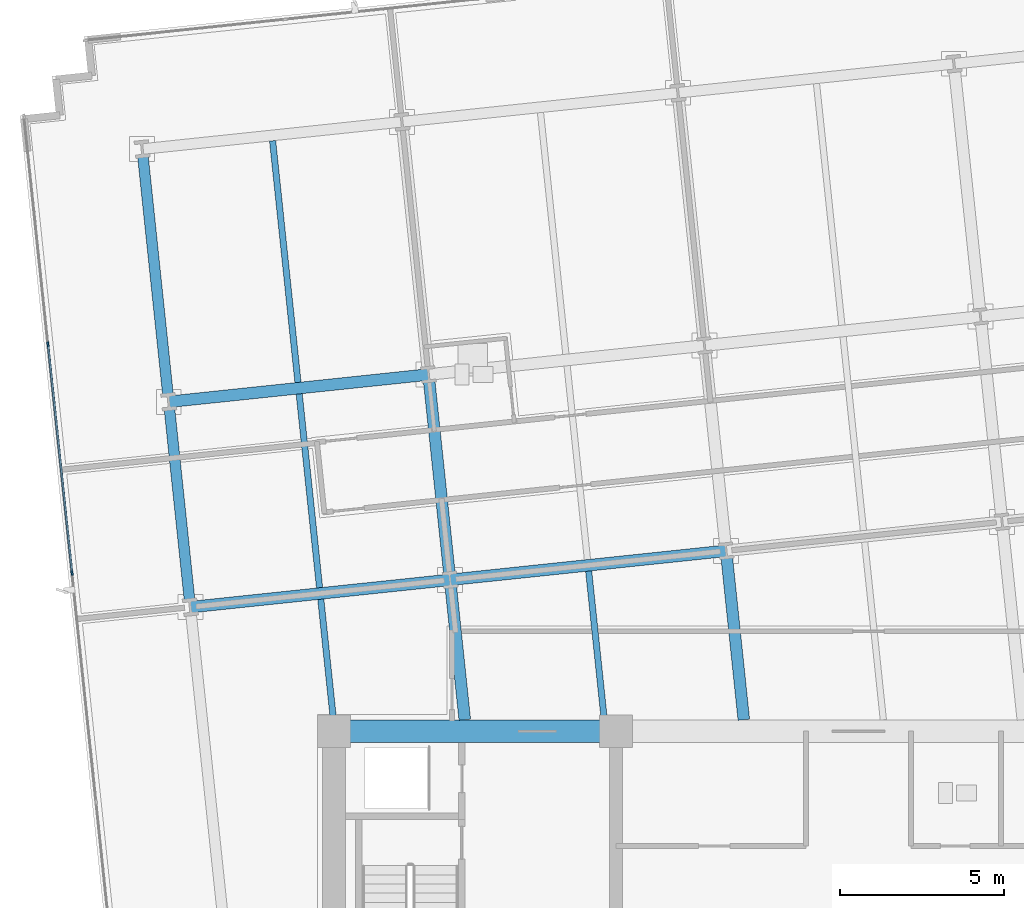
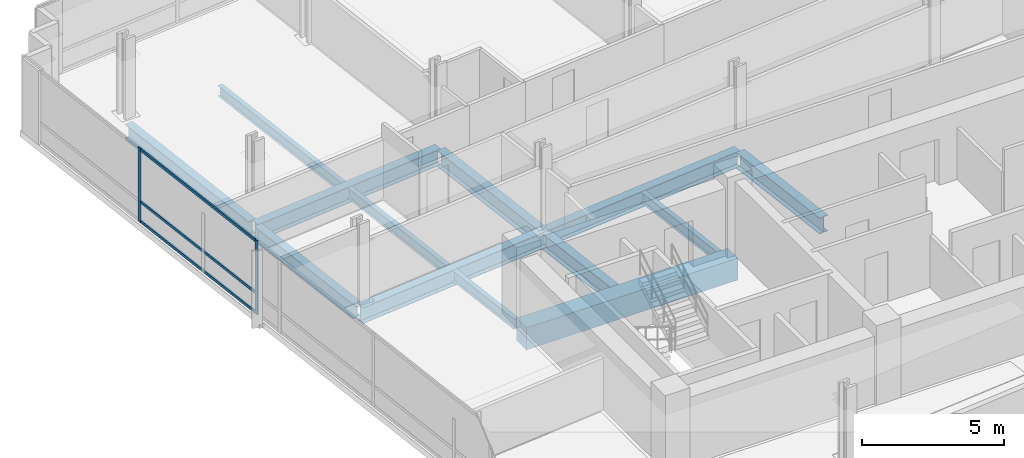
# One storey, part 4 of 21: 13 beams, 5 members, 1 element without a shape of its own.
"""IFC4 building model written with IfcOpenShell, lengths in metres."""

from ifc_helpers import new_model, si_unit, direction, frame, origin, origin_2d, place, context, subcontext, project, spatial, rectangle, i_section, extrude, material, material_profile, profile_set, type_object, element, aggregate, save


model = new_model("IFC4")

# Units and contexts
model_context = context("Model", 3, precision=1e-05, world=origin(), true_north=direction((0.0, 1.0)))
body_context = subcontext(model_context, "Body", "Model", "MODEL_VIEW")
ifc_project = project(units=[si_unit("LENGTHUNIT", "METRE"), si_unit("AREAUNIT", "SQUARE_METRE"), si_unit("VOLUMEUNIT", "CUBIC_METRE"), si_unit("PLANEANGLEUNIT", "RADIAN"), si_unit("MASSUNIT", "GRAM", prefix="KILO")], contexts=[model_context])

# Site, building, storey
site_placement = place(None, origin())
site = spatial("IfcSite", under=ifc_project, at=site_placement, CompositionType="ELEMENT")
building_placement = place(site_placement, origin())
building = spatial("IfcBuilding", under=site, at=building_placement, Name="Solmavex Isthmus Hotel", CompositionType="ELEMENT")
storey_placement = place(building_placement, frame((0.0, 0.0, 113.25)))
storey = spatial("IfcBuildingStorey", under=building, at=storey_placement, Name="L30", CompositionType="ELEMENT", Elevation=113.25)

# Beams
ifc_material_1 = material(Name="Steel ASTM A992 Grade 50", Category="steel")
ifc_material_profile_1 = material_profile(ifc_material_1, i_section(OverallWidth=0.354736328125, OverallDepth=0.695556640625, WebThickness=0.015380859375, FlangeThickness=0.02490234375, FilletRadius=0.017822265625, at=origin_2d()), Name="W27X146")
ifc_profile_set_1 = profile_set([ifc_material_profile_1], Name="Steel ASTM A992 Grade 50")
beam_type_1 = type_object("IfcBeamType", Name="BM-BG-W27X146", PredefinedType="BEAM", material=ifc_profile_set_1)
beam_1_placement = place(storey_placement, frame((-20.383056640625, 1.28564453125, -0.607666015625), z_axis=(0.994520217478, 0.10454442609, 0.0), x_axis=(-0.10454442609, 0.994520217478, 0.0)))
element("IfcBeam", 1, at=beam_1_placement, inside=storey, type_object=beam_type_1, Name="Floor Girder L30-UG07", PredefinedType="BEAM", context=body_context, shape_type="SweptSolid", body=[
    extrude(i_section(OverallWidth=0.354736328125, OverallDepth=0.695556640625, WebThickness=0.015380859375, FlangeThickness=0.02490234375, FilletRadius=0.017822265625, at=origin_2d()), origin(), (0.0, 0.0, 1.0), 7.968017578125),
])
beam_2_placement = place(storey_placement, frame((-12.458740234375, 2.11865234375, -0.607666015625), z_axis=(0.994521085209, 0.104536171134, 0.0), x_axis=(-0.104536171134, 0.994521085209, 0.0)))
element("IfcBeam", 2, at=beam_2_placement, inside=storey, type_object=beam_type_1, Name="Floor Girder L30-UG08", PredefinedType="BEAM", context=body_context, shape_type="SweptSolid", body=[
    extrude(i_section(OverallWidth=0.354736328125, OverallDepth=0.695556640625, WebThickness=0.015380859375, FlangeThickness=0.02490234375, FilletRadius=0.017822265625, at=origin_2d()), origin(), (0.0, 0.0, 1.0), 8.466064453125),
])
beam_3_placement = place(storey_placement, frame((-21.04150390625, 7.54931640625, -0.607666015625), z_axis=(0.994523402738, 0.104514120609, 0.0), x_axis=(-0.104514120609, 0.994523402738, 0.0)))
element("IfcBeam", 3, at=beam_3_placement, inside=storey, type_object=beam_type_1, Name="Floor Girder L30-UG13", PredefinedType="BEAM", context=body_context, shape_type="SweptSolid", body=[
    extrude(i_section(OverallWidth=0.354736328125, OverallDepth=0.695556640625, WebThickness=0.015380859375, FlangeThickness=0.02490234375, FilletRadius=0.017822265625, at=origin_2d()), origin(), (0.0, 0.0, 1.0), 7.968017578125),
])
beam_4_placement = place(storey_placement, frame((-12.010009765625, -2.14990234375, -0.607666015625), z_axis=(-0.104548881212, 0.994519749144, 0.0), x_axis=(-0.994519749144, -0.104548881212, 0.0)))
element("IfcBeam", 4, at=beam_4_placement, inside=storey, type_object=beam_type_1, Name="Floor Beam L30-VG29", PredefinedType="BEAM", context=body_context, shape_type="SweptSolid", body=[
    extrude(i_section(OverallWidth=0.354736328125, OverallDepth=0.695556640625, WebThickness=0.015380859375, FlangeThickness=0.02490234375, FilletRadius=0.017822265625, at=origin_2d()), origin(), (0.0, 0.0, 1.0), 4.114501953125),
])
beam_5_placement = place(storey_placement, frame((-12.477294921875, 2.295166015625, -0.607666015625), z_axis=(-0.104545790518, 0.994520074048, 0.0), x_axis=(-0.994520074048, -0.104545790518, 0.0)))
element("IfcBeam", 5, at=beam_5_placement, inside=storey, type_object=beam_type_1, Name="Floor Beam L30-VG30", PredefinedType="BEAM", context=body_context, shape_type="SweptSolid", body=[
    extrude(i_section(OverallWidth=0.354736328125, OverallDepth=0.695556640625, WebThickness=0.015380859375, FlangeThickness=0.02490234375, FilletRadius=0.017822265625, at=origin_2d()), origin(), (0.0, 0.0, 1.0), 5.943115234375),
])
beam_6_placement = place(storey_placement, frame((-3.49755859375, -2.14990234375, -0.607666015625), z_axis=(-0.104496861251, 0.994525216366, 0.0), x_axis=(-0.994525216366, -0.104496861251, 0.0)))
element("IfcBeam", 6, at=beam_6_placement, inside=storey, type_object=beam_type_1, Name="Floor Beam L30-VG33", PredefinedType="BEAM", context=body_context, shape_type="SweptSolid", body=[
    extrude(i_section(OverallWidth=0.354736328125, OverallDepth=0.695556640625, WebThickness=0.015380859375, FlangeThickness=0.02490234375, FilletRadius=0.017822265625, at=origin_2d()), origin(), (0.0, 0.0, 1.0), 5.00439453125),
])
ifc_material_profile_2 = material_profile(ifc_material_1, i_section(OverallWidth=0.1904296875, OverallDepth=0.456787109375, WebThickness=0.009033203125, FlangeThickness=0.014404296875, FilletRadius=0.0126953125, at=origin_2d()), Name="W18X50")
ifc_profile_set_2 = profile_set([ifc_material_profile_2], Name="Steel ASTM A992 Grade 50")
beam_type_2 = type_object("IfcBeamType", Name="BM-BJ-W18X50", PredefinedType="JOIST", material=ifc_profile_set_2)
beam_7_placement = place(storey_placement, frame((-16.01611328125, -2.14990234375, -0.488525390625), z_axis=(-0.104505969986, 0.99452425925, 0.0), x_axis=(-0.99452425925, -0.104505969986, 0.0)))
element("IfcBeam", 7, at=beam_7_placement, inside=storey, type_object=beam_type_2, Name="Secondary Floor Joist L30-J02", PredefinedType="JOIST", context=body_context, shape_type="SweptSolid", body=[
    extrude(i_section(OverallWidth=0.1904296875, OverallDepth=0.456787109375, WebThickness=0.009033203125, FlangeThickness=0.014404296875, FilletRadius=0.0126953125, at=origin_2d()), origin(), (0.0, 0.0, 1.0), 3.69580078125),
])
beam_8_placement = place(storey_placement, frame((-16.439453125, 1.878662109375, -0.488525390625), z_axis=(-0.104545790518, 0.994520074048, 0.0), x_axis=(-0.994520074048, -0.104545790518, 0.0)))
element("IfcBeam", 8, at=beam_8_placement, inside=storey, type_object=beam_type_2, Name="Secondary Floor Joist L30-J03", PredefinedType="JOIST", context=body_context, shape_type="SweptSolid", body=[
    extrude(i_section(OverallWidth=0.1904296875, OverallDepth=0.456787109375, WebThickness=0.009033203125, FlangeThickness=0.014404296875, FilletRadius=0.0126953125, at=origin_2d()), origin(), (0.0, 0.0, 1.0), 5.943115234375),
])
beam_9_placement = place(storey_placement, frame((-17.097900390625, 8.14208984375, -0.488525390625), z_axis=(-0.104525307271, 0.994522227072, 0.0), x_axis=(-0.994522227072, -0.104525307271, 0.0)))
element("IfcBeam", 9, at=beam_9_placement, inside=storey, type_object=beam_type_2, Name="Secondary Floor Joist L30-J04", PredefinedType="JOIST", context=body_context, shape_type="SweptSolid", body=[
    extrude(i_section(OverallWidth=0.1904296875, OverallDepth=0.456787109375, WebThickness=0.009033203125, FlangeThickness=0.014404296875, FilletRadius=0.0126953125, at=origin_2d()), origin(), (0.0, 0.0, 1.0), 7.4111328125),
])
beam_10_placement = place(storey_placement, frame((-7.75390625, -2.14990234375, -0.488525390625), z_axis=(-0.104517550263, 0.994523042311, 0.0), x_axis=(-0.994523042311, -0.104517550263, 0.0)))
element("IfcBeam", 10, at=beam_10_placement, inside=storey, type_object=beam_type_2, Name="Secondary Floor Joist L30-J06", PredefinedType="JOIST", context=body_context, shape_type="SweptSolid", body=[
    extrude(i_section(OverallWidth=0.1904296875, OverallDepth=0.456787109375, WebThickness=0.009033203125, FlangeThickness=0.014404296875, FilletRadius=0.0126953125, at=origin_2d()), origin(), (0.0, 0.0, 1.0), 4.5595703125),
])
ifc_material_2 = material(Name="Concrete C60/75", Category="concrete")
ifc_material_profile_3 = material_profile(ifc_material_2, rectangle(XDim=0.699951171875, YDim=0.949951171875, at=origin_2d()), Name="RC700X950")
ifc_profile_set_3 = profile_set([ifc_material_profile_3], Name="Concrete C60/75")
beam_type_3 = type_object("IfcBeamType", Name="BM-CB-700X950", PredefinedType="BEAM", material=ifc_profile_set_3)
beam_11_placement = place(storey_placement, frame((-16.0, -2.5, -0.735107421875), z_axis=(1.0, 0.0, 0.0), x_axis=(0.0, 1.0, 0.0)))
element("IfcBeam", 11, at=beam_11_placement, inside=storey, type_object=beam_type_3, Name="Core Coupling Beam L30-CB4", PredefinedType="BEAM", context=body_context, shape_type="SweptSolid", body=[
    extrude(rectangle(XDim=0.699951171875, YDim=0.949951171875, at=origin_2d()), origin(), (0.0, 0.0, 1.0), 8.60009765625),
])
ifc_material_profile_4 = material_profile(ifc_material_1, i_section(OverallWidth=0.326416015625, OverallDepth=0.621826171875, WebThickness=0.015380859375, FlangeThickness=0.0244140625, FilletRadius=0.01513671875, at=origin_2d()), Name="W24X131")
ifc_profile_set_4 = profile_set([ifc_material_profile_4], Name="Steel ASTM A992 Grade 50")
beam_type_4 = type_object("IfcBeamType", Name="BM-SP-W24X131", PredefinedType="SPANDREL", material=ifc_profile_set_4)
beam_12_placement = place(storey_placement, frame((-20.401611328125, 1.462158203125, -0.57080078125), z_axis=(-0.104545790518, 0.994520074048, 0.0), x_axis=(-0.994520074048, -0.104545790518, 0.0)))
element("IfcBeam", 12, at=beam_12_placement, inside=storey, type_object=beam_type_4, Name="Floor Beam L30-VG26", PredefinedType="SPANDREL", context=body_context, shape_type="SweptSolid", body=[
    extrude(i_section(OverallWidth=0.326416015625, OverallDepth=0.621826171875, WebThickness=0.015380859375, FlangeThickness=0.0244140625, FilletRadius=0.01513671875, at=origin_2d()), origin(), (0.0, 0.0, 1.0), 5.943115234375),
])
beam_13_placement = place(storey_placement, frame((-21.06005859375, 7.7255859375, -0.57080078125), z_axis=(-0.10452188296, 0.994522586964, 0.0), x_axis=(-0.994522586964, -0.10452188296, 0.0)))
element("IfcBeam", 13, at=beam_13_placement, inside=storey, type_object=beam_type_4, Name="Floor Beam L30-VG27", PredefinedType="SPANDREL", context=body_context, shape_type="SweptSolid", body=[
    extrude(i_section(OverallWidth=0.326416015625, OverallDepth=0.621826171875, WebThickness=0.015380859375, FlangeThickness=0.0244140625, FilletRadius=0.01513671875, at=origin_2d()), origin(), (0.0, 0.0, 1.0), 7.411376953125),
])

# Curtain wall, members
ifc_material_3 = material(Name="Aluminium alloy 6063-T6", Category="aluminium")
curtain_wall_type = type_object("IfcCurtainWallType", Name="CW-SYS-06", PredefinedType="NOTDEFINED", material=ifc_material_3)
curtain_wall_placement = place(storey_placement, origin())
curtain_wall = element("IfcCurtainWall", 14, at=curtain_wall_placement, inside=storey, type_object=curtain_wall_type, Name="Stick Curtain Wall CWL-L30-W1", PredefinedType="NOTDEFINED")
ifc_material_profile_5 = material_profile(ifc_material_3, rectangle(XDim=0.06005859375, YDim=0.139892578125, at=origin_2d()), Name="CWM-60X140")
ifc_profile_set_5 = profile_set([ifc_material_profile_5], Name="Aluminium alloy 6063-T6")
member_type_1 = type_object("IfcMemberType", Name="CW-SYS-06-MUL", PredefinedType="MULLION", material=ifc_profile_set_5)
member_1_placement = place(storey_placement, frame((-23.991455078125, 2.32421875, 0.0), z_axis=(0.0, 0.0, 1.0), x_axis=(-0.994521893044, -0.104528485381, 0.0)))
member_1 = element("IfcMember", 15, at=member_1_placement, type_object=member_type_1, Name="CW-06 mullion 4", PredefinedType="MULLION", context=body_context, shape_type="SweptSolid", body=[
    extrude(rectangle(XDim=0.06005859375, YDim=0.139892578125, at=origin_2d()), origin(), (0.0, 0.0, 1.0), 3.18994140625),
])
member_2_placement = place(storey_placement, frame((-24.725341796875, 9.305908203125, 0.0), z_axis=(0.0, 0.0, 1.0), x_axis=(-0.994521893044, -0.104528485381, 0.0)))
member_2 = element("IfcMember", 16, at=member_2_placement, type_object=member_type_1, Name="CW-06 mullion 5", PredefinedType="MULLION", context=body_context, shape_type="SweptSolid", body=[
    extrude(rectangle(XDim=0.06005859375, YDim=0.139892578125, at=origin_2d()), origin(), (0.0, 0.0, 1.0), 3.18994140625),
])
ifc_material_profile_6 = material_profile(ifc_material_3, rectangle(XDim=0.06005859375, YDim=0.114990234375, at=origin_2d()), Name="CWT-60X115")
ifc_profile_set_6 = profile_set([ifc_material_profile_6], Name="Aluminium alloy 6063-T6")
member_type_2 = type_object("IfcMemberType", Name="CW-SYS-06-TRN", PredefinedType="USERDEFINED", material=ifc_profile_set_6)
member_3_placement = place(storey_placement, frame((-23.99462890625, 2.35400390625, 0.0576171875), z_axis=(-0.104531402636, 0.994521586424, 0.0), x_axis=(-0.994521586424, -0.104531402636, 0.0)))
member_3 = element("IfcMember", 17, at=member_3_placement, type_object=member_type_2, Name="CW-06 transom 4.1", ObjectType="TRANSOM", PredefinedType="USERDEFINED", context=body_context, shape_type="SweptSolid", body=[
    extrude(rectangle(XDim=0.06005859375, YDim=0.114990234375, at=origin_2d()), origin(), (0.0, 0.0, 1.0), 6.9599609375),
])
member_4_placement = place(storey_placement, frame((-23.99462890625, 2.35400390625, 0.89990234375), z_axis=(-0.104531402636, 0.994521586424, 0.0), x_axis=(-0.994521586424, -0.104531402636, 0.0)))
member_4 = element("IfcMember", 18, at=member_4_placement, type_object=member_type_2, Name="CW-06 transom 4.2", ObjectType="TRANSOM", PredefinedType="USERDEFINED", context=body_context, shape_type="SweptSolid", body=[
    extrude(rectangle(XDim=0.06005859375, YDim=0.114990234375, at=origin_2d()), origin(), (0.0, 0.0, 1.0), 6.9599609375),
])
member_5_placement = place(storey_placement, frame((-23.99462890625, 2.35400390625, 3.132568359375), z_axis=(-0.104531402636, 0.994521586424, 0.0), x_axis=(-0.994521586424, -0.104531402636, 0.0)))
member_5 = element("IfcMember", 19, at=member_5_placement, type_object=member_type_2, Name="CW-06 transom 4.3", ObjectType="TRANSOM", PredefinedType="USERDEFINED", context=body_context, shape_type="SweptSolid", body=[
    extrude(rectangle(XDim=0.06005859375, YDim=0.114990234375, at=origin_2d()), origin(), (0.0, 0.0, 1.0), 6.9599609375),
])
aggregate(curtain_wall, [member_1, member_2, member_3, member_4, member_5])

save(model, "model.ifc")
